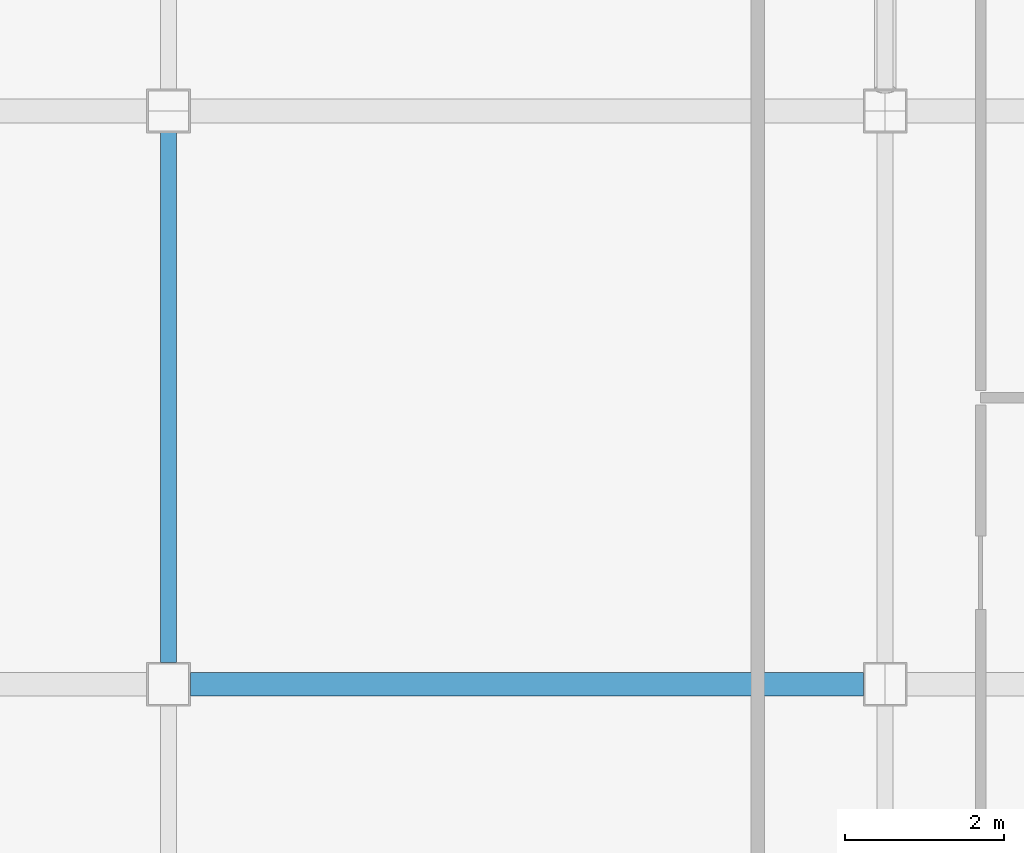
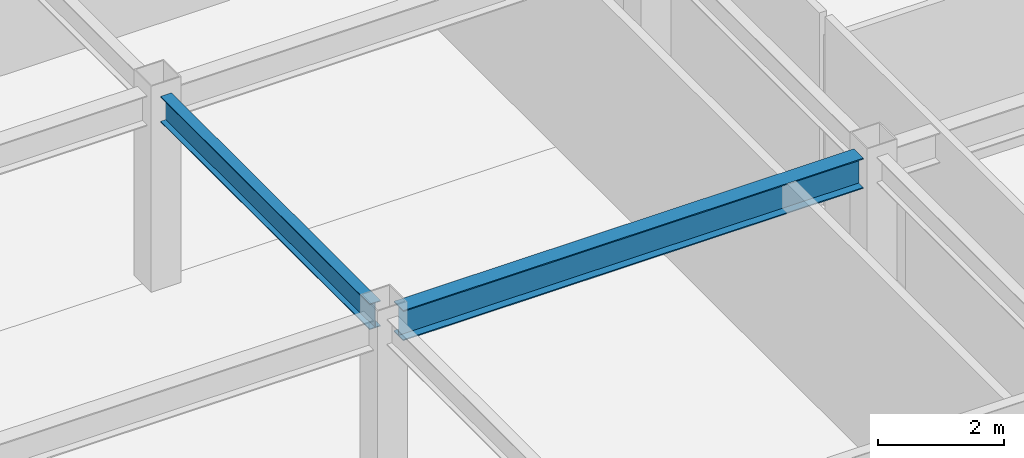
# One storey, part 53 of 113: 2 beams.
"""IFC4 building model written with IfcOpenShell, lengths in metres."""

from ifc_helpers import new_model, si_unit, direction, frame, origin, origin_2d, place, context, subcontext, project, spatial, i_section, extrude, material, material_profile, profile_set, type_object, element, save


model = new_model("IFC4")

# Units and contexts
model_context = context("Model", 3, precision=1e-05, world=origin(), true_north=direction((0.0, 1.0)))
body_context = subcontext(model_context, "Body", "Model", "MODEL_VIEW")
ifc_project = project(units=[si_unit("LENGTHUNIT", "METRE"), si_unit("AREAUNIT", "SQUARE_METRE"), si_unit("VOLUMEUNIT", "CUBIC_METRE"), si_unit("PLANEANGLEUNIT", "RADIAN"), si_unit("MASSUNIT", "GRAM", prefix="KILO")], contexts=[model_context])

# Site, building, storey
site_placement = place(None, origin())
site = spatial("IfcSite", under=ifc_project, at=site_placement, CompositionType="ELEMENT")
building_placement = place(site_placement, origin())
building = spatial("IfcBuilding", under=site, at=building_placement, Name="Kazanami Central Library", CompositionType="ELEMENT")
storey_placement = place(building_placement, frame((0.0, 0.0, 8.800048828125)))
storey = spatial("IfcBuildingStorey", under=building, at=storey_placement, Name="L03", CompositionType="ELEMENT", Elevation=8.800048828125)

# Beams
ifc_material = material(Name="Steel SN490B (325 MPa)", Category="steel")
ifc_material_profile_1 = material_profile(ifc_material, i_section(OverallWidth=0.300048828125, OverallDepth=0.587890625, WebThickness=0.011962890625, FlangeThickness=0.02001953125, at=origin_2d()), Name="H-588x300x12x20")
ifc_profile_set_1 = profile_set([ifc_material_profile_1], Name="Steel SN490B (325 MPa)")
beam_type_1 = type_object("IfcBeamType", Name="BM-G-X2", PredefinedType="BEAM", material=ifc_profile_set_1)
beam_1_placement = place(storey_placement, frame((9.27294921875, 64.800048828125, 3.450927734375), z_axis=(1.0, 0.0, 0.0), x_axis=(0.0, 1.0, 0.0)))
element("IfcBeam", 1, at=beam_1_placement, inside=storey, type_object=beam_type_1, Name="Girder G-X2 L03 K/2-3", PredefinedType="BEAM", context=body_context, shape_type="SweptSolid", body=[
    extrude(i_section(OverallWidth=0.300048828125, OverallDepth=0.587890625, WebThickness=0.011962890625, FlangeThickness=0.02001953125, at=origin_2d()), origin(), (0.0, 0.0, 1.0), 8.4541015625),
])
ifc_material_profile_2 = material_profile(ifc_material, i_section(OverallWidth=0.199951171875, OverallDepth=0.5, WebThickness=0.010009765625, FlangeThickness=0.01611328125, at=origin_2d()), Name="H-500x200x10x16")
ifc_profile_set_2 = profile_set([ifc_material_profile_2], Name="Steel SN490B (325 MPa)")
beam_type_2 = type_object("IfcBeamType", Name="BM-G-Y2", PredefinedType="BEAM", material=ifc_profile_set_2)
beam_2_placement = place(storey_placement, frame((9.0, 65.072998046875, 3.494873046875), z_axis=(0.0, 1.0, 0.0), x_axis=(-1.0, 0.0, 0.0)))
element("IfcBeam", 2, at=beam_2_placement, inside=storey, type_object=beam_type_2, Name="Girder G-Y2 L03 2/K-L", PredefinedType="BEAM", context=body_context, shape_type="SweptSolid", body=[
    extrude(i_section(OverallWidth=0.199951171875, OverallDepth=0.5, WebThickness=0.010009765625, FlangeThickness=0.01611328125, at=origin_2d()), origin(), (0.0, 0.0, 1.0), 6.654052734375),
])

save(model, "model.ifc")
